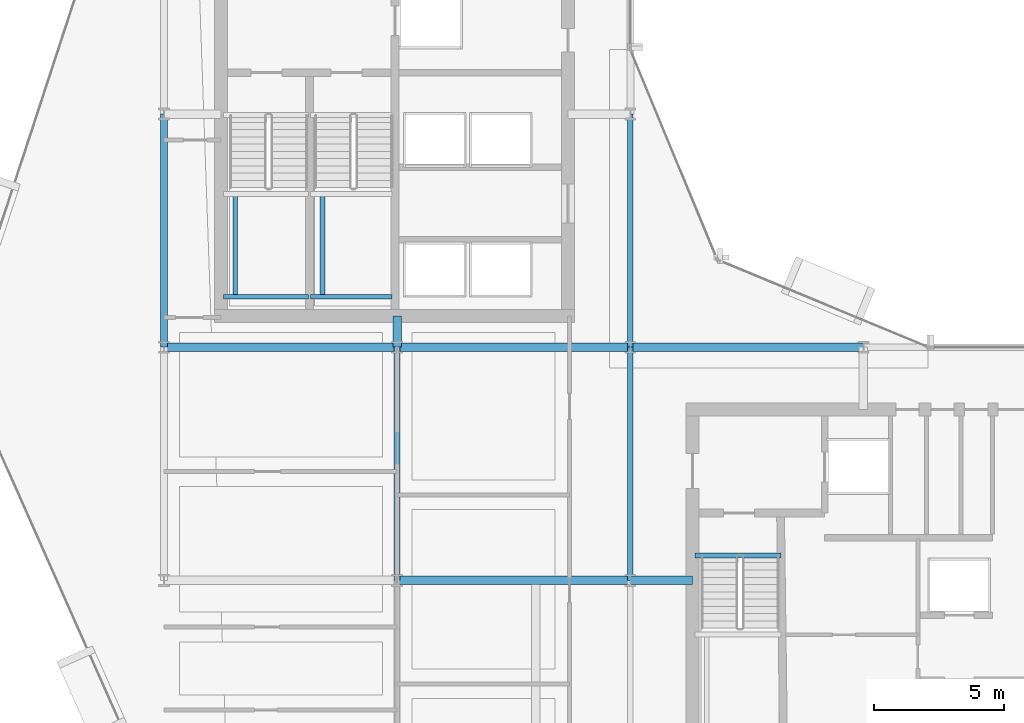
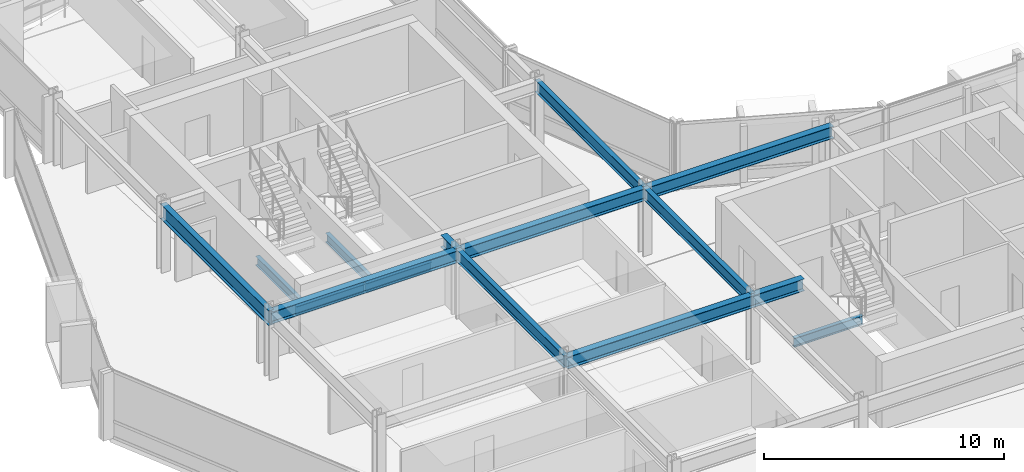
# One storey, part 7 of 28: 15 beams.
"""IFC4 building model written with IfcOpenShell, lengths in metres."""

from ifc_helpers import new_model, si_unit, direction, frame, origin, origin_2d, place, context, subcontext, project, spatial, i_section, extrude, material, material_profile, profile_set, type_object, element, save


model = new_model("IFC4")

# Units and contexts
model_context = context("Model", 3, precision=1e-05, world=origin(), true_north=direction((0.0, 1.0)))
body_context = subcontext(model_context, "Body", "Model", "MODEL_VIEW")
ifc_project = project(units=[si_unit("LENGTHUNIT", "METRE"), si_unit("AREAUNIT", "SQUARE_METRE"), si_unit("VOLUMEUNIT", "CUBIC_METRE"), si_unit("PLANEANGLEUNIT", "RADIAN"), si_unit("MASSUNIT", "GRAM", prefix="KILO")], contexts=[model_context])

# Site, building, storey
site_placement = place(None, origin())
site = spatial("IfcSite", under=ifc_project, at=site_placement, CompositionType="ELEMENT")
building_placement = place(site_placement, origin())
building = spatial("IfcBuilding", under=site, at=building_placement, Name="Solvaryn Broadcast Tower", CompositionType="ELEMENT")
storey_placement = place(building_placement, frame((0.0, 0.0, 135.89990234375)))
storey = spatial("IfcBuildingStorey", under=building, at=storey_placement, Name="L33", CompositionType="ELEMENT", Elevation=135.89990234375)

# Beams
ifc_material_1 = material(Name="Steel ASTM A992 Grade 50", Category="steel")
ifc_material_profile_1 = material_profile(ifc_material_1, i_section(OverallWidth=0.323974609375, OverallDepth=0.611083984375, WebThickness=0.0126953125, FlangeThickness=0.01904296875, FilletRadius=0.014892578125, at=origin_2d()))
ifc_profile_set_1 = profile_set([ifc_material_profile_1], Name="Steel ASTM A992 Grade 50")
beam_type_1 = type_object("IfcBeamType", Name="BM-B1-W24X104", PredefinedType="BEAM", material=ifc_profile_set_1)
for number, where, z_axis, x_axis, name in (
    (1, (18.0, 18.0, 3.114501953125), (1.0, 0.0, 0.0), (0.0, 1.0, 0.0), "L33 Primary Beam X (18-27 @ Y=18)"),
    (2, (9.0, 27.0, 3.114501953125), (1.0, 0.0, 0.0), (0.0, 1.0, 0.0), "L33 Primary Beam X (9-18 @ Y=27)"),
    (3, (18.0, 27.0, 3.114501953125), (1.0, 0.0, 0.0), (0.0, 1.0, 0.0), "L33 Primary Beam X (18-27 @ Y=27)"),
    (4, (27.0, 27.0, 3.114501953125), (1.0, 0.0, 0.0), (0.0, 1.0, 0.0), "L33 Primary Beam X (27-36 @ Y=27)"),
):
    element("IfcBeam", number, at=place(storey_placement, frame(where, z_axis=z_axis, x_axis=x_axis)), inside=storey, type_object=beam_type_1, Name=name, PredefinedType="BEAM", context=body_context, shape_type="SweptSolid", body=[
        extrude(i_section(OverallWidth=0.323974609375, OverallDepth=0.611083984375, WebThickness=0.0126953125, FlangeThickness=0.01904296875, FilletRadius=0.014892578125, at=origin_2d()), origin(), (0.0, 0.0, 1.0), 9.0),
    ])
beam_1_placement = place(storey_placement, frame((18.0, 27.0, 3.114501953125), z_axis=(0.0, 1.0, 0.0), x_axis=(-1.0, 0.0, 0.0)))
element("IfcBeam", 5, at=beam_1_placement, inside=storey, type_object=beam_type_1, Name="L33 Core Tie Beam CTW4", PredefinedType="BEAM", context=body_context, shape_type="SweptSolid", body=[
    extrude(i_section(OverallWidth=0.323974609375, OverallDepth=0.611083984375, WebThickness=0.0126953125, FlangeThickness=0.01904296875, FilletRadius=0.014892578125, at=origin_2d()), origin(), (0.0, 0.0, 1.0), 1.199951171875),
])
beam_2_placement = place(storey_placement, frame((27.0, 18.0, 3.114501953125), z_axis=(1.0, 0.0, 0.0), x_axis=(0.0, 1.0, 0.0)))
element("IfcBeam", 6, at=beam_2_placement, inside=storey, type_object=beam_type_1, Name="L33 Core Tie Beam CTE4", PredefinedType="BEAM", context=body_context, shape_type="SweptSolid", body=[
    extrude(i_section(OverallWidth=0.323974609375, OverallDepth=0.611083984375, WebThickness=0.0126953125, FlangeThickness=0.01904296875, FilletRadius=0.014892578125, at=origin_2d()), origin(), (0.0, 0.0, 1.0), 2.39990234375),
])
ifc_material_2 = material(Name="Steel ASTM A992 Grade 50", Category="steel")
ifc_material_profile_2 = material_profile(ifc_material_2, i_section(OverallWidth=0.22802734375, OverallDepth=0.60791015625, WebThickness=0.01123046875, FlangeThickness=0.017333984375, FilletRadius=0.014892578125, at=origin_2d()))
ifc_profile_set_2 = profile_set([ifc_material_profile_2], Name="Steel ASTM A992 Grade 50")
beam_type_2 = type_object("IfcBeamType", Name="BM-B2-W24X76", PredefinedType="BEAM", material=ifc_profile_set_2)
for number, where, z_axis, x_axis, name in (
    (7, (18.0, 18.0, 3.1162109375), (0.0, 1.0, 0.0), (-1.0, 0.0, 0.0), "L33 Primary Beam Y (18-27 @ X=18)"),
    (8, (27.0, 18.0, 3.1162109375), (0.0, 1.0, 0.0), (-1.0, 0.0, 0.0), "L33 Primary Beam Y (18-27 @ X=27)"),
    (9, (27.0, 27.0, 3.1162109375), (0.0, 1.0, 0.0), (-1.0, 0.0, 0.0), "L33 Primary Beam Y (27-36 @ X=27)"),
):
    element("IfcBeam", number, at=place(storey_placement, frame(where, z_axis=z_axis, x_axis=x_axis)), inside=storey, type_object=beam_type_2, Name=name, PredefinedType="BEAM", context=body_context, shape_type="SweptSolid", body=[
        extrude(i_section(OverallWidth=0.22802734375, OverallDepth=0.60791015625, WebThickness=0.01123046875, FlangeThickness=0.017333984375, FilletRadius=0.014892578125, at=origin_2d()), origin(), (0.0, 0.0, 1.0), 9.0),
    ])
ifc_material_3 = material(Name="Steel ASTM A992 Grade 50", Category="steel")
ifc_material_profile_3 = material_profile(ifc_material_3, i_section(OverallWidth=0.18994140625, OverallDepth=0.45703125, WebThickness=0.009033203125, FlangeThickness=0.014404296875, FilletRadius=0.011962890625, at=origin_2d()))
ifc_profile_set_3 = profile_set([ifc_material_profile_3], Name="Steel ASTM A992 Grade 50")
beam_type_3 = type_object("IfcBeamType", Name="BM-B4-W18X50", PredefinedType="BEAM", material=ifc_profile_set_3)
beam_3_placement = place(storey_placement, frame((11.300048828125, 28.949951171875, 1.421630859375), z_axis=(1.0, 0.0, 0.0), x_axis=(0.0, 1.0, 0.0)))
element("IfcBeam", 10, at=beam_3_placement, inside=storey, type_object=beam_type_3, Name="L33 ST1 Landing Support Beam 1A", PredefinedType="BEAM", context=body_context, shape_type="SweptSolid", body=[
    extrude(i_section(OverallWidth=0.18994140625, OverallDepth=0.45703125, WebThickness=0.009033203125, FlangeThickness=0.014404296875, FilletRadius=0.011962890625, at=origin_2d()), origin(), (0.0, 0.0, 1.0), 3.280029296875),
])
beam_4_placement = place(storey_placement, frame((11.75, 28.949951171875, 1.421630859375), z_axis=(0.0, 1.0, 0.0), x_axis=(-1.0, 0.0, 0.0)))
element("IfcBeam", 11, at=beam_4_placement, inside=storey, type_object=beam_type_3, Name="L33 ST1 Landing Cross Stringer 1C", PredefinedType="BEAM", context=body_context, shape_type="SweptSolid", body=[
    extrude(i_section(OverallWidth=0.18994140625, OverallDepth=0.45703125, WebThickness=0.009033203125, FlangeThickness=0.014404296875, FilletRadius=0.011962890625, at=origin_2d()), origin(), (0.0, 0.0, 1.0), 3.9599609375),
])
beam_5_placement = place(storey_placement, frame((14.659912109375, 28.949951171875, 1.421630859375), z_axis=(1.0, 0.0, 0.0), x_axis=(0.0, 1.0, 0.0)))
element("IfcBeam", 12, at=beam_5_placement, inside=storey, type_object=beam_type_3, Name="L33 ST2 Landing Support Beam 1A", PredefinedType="BEAM", context=body_context, shape_type="SweptSolid", body=[
    extrude(i_section(OverallWidth=0.18994140625, OverallDepth=0.45703125, WebThickness=0.009033203125, FlangeThickness=0.014404296875, FilletRadius=0.011962890625, at=origin_2d()), origin(), (0.0, 0.0, 1.0), 3.14013671875),
])
beam_6_placement = place(storey_placement, frame((15.110107421875, 28.949951171875, 1.421630859375), z_axis=(0.0, 1.0, 0.0), x_axis=(-1.0, 0.0, 0.0)))
element("IfcBeam", 13, at=beam_6_placement, inside=storey, type_object=beam_type_3, Name="L33 ST2 Landing Cross Stringer 1C", PredefinedType="BEAM", context=body_context, shape_type="SweptSolid", body=[
    extrude(i_section(OverallWidth=0.18994140625, OverallDepth=0.45703125, WebThickness=0.009033203125, FlangeThickness=0.014404296875, FilletRadius=0.011962890625, at=origin_2d()), origin(), (0.0, 0.0, 1.0), 3.9599609375),
])
beam_7_placement = place(storey_placement, frame((29.5, 18.9599609375, -0.50830078125), z_axis=(1.0, 0.0, 0.0), x_axis=(0.0, 1.0, 0.0)))
element("IfcBeam", 14, at=beam_7_placement, inside=storey, type_object=beam_type_3, Name="L33 ST3 Stair Well Trimmer Beam", PredefinedType="BEAM", context=body_context, shape_type="SweptSolid", body=[
    extrude(i_section(OverallWidth=0.18994140625, OverallDepth=0.45703125, WebThickness=0.009033203125, FlangeThickness=0.014404296875, FilletRadius=0.011962890625, at=origin_2d()), origin(), (0.0, 0.0, 1.0), 3.320068359375),
])
ifc_material_4 = material(Name="Steel ASTM A992 Grade 50", Category="steel")
ifc_material_profile_4 = material_profile(ifc_material_4, i_section(OverallWidth=0.26708984375, OverallDepth=0.76611328125, WebThickness=0.014892578125, FlangeThickness=0.023681640625, FilletRadius=0.01806640625, at=origin_2d()))
ifc_profile_set_4 = profile_set([ifc_material_profile_4], Name="Steel ASTM A992 Grade 50")
beam_type_4 = type_object("IfcBeamType", Name="BM-SP2-W30X124", PredefinedType="USERDEFINED", material=ifc_profile_set_4)
beam_8_placement = place(storey_placement, frame((9.0, 27.0, 3.037109375), z_axis=(0.0, 1.0, 0.0), x_axis=(-1.0, 0.0, 0.0)))
element("IfcBeam", 15, at=beam_8_placement, inside=storey, type_object=beam_type_4, Name="L33 Spandrel Beam Y (27-36 @ X=9)", ObjectType="SPANDREL", PredefinedType="USERDEFINED", context=body_context, shape_type="SweptSolid", body=[
    extrude(i_section(OverallWidth=0.26708984375, OverallDepth=0.76611328125, WebThickness=0.014892578125, FlangeThickness=0.023681640625, FilletRadius=0.01806640625, at=origin_2d()), origin(), (0.0, 0.0, 1.0), 9.0),
])

save(model, "model.ifc")
